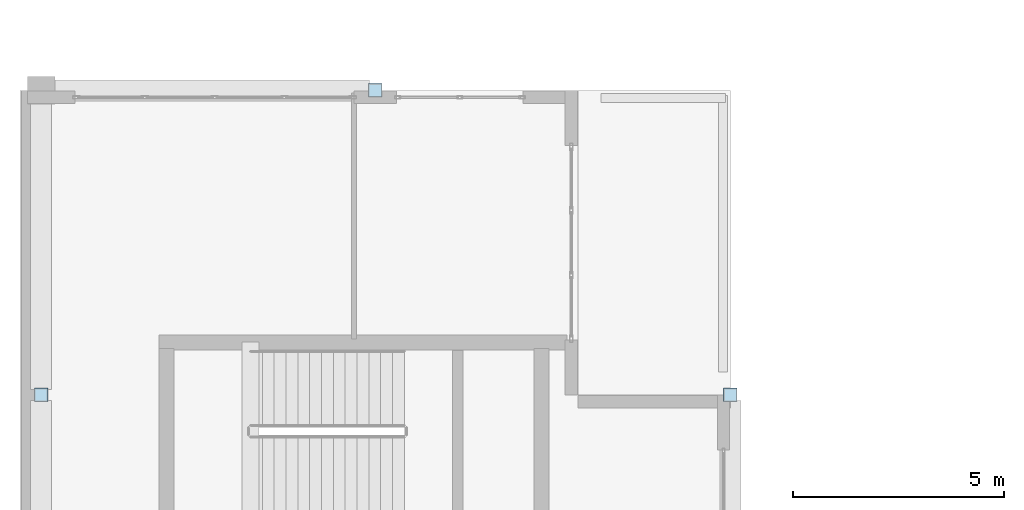
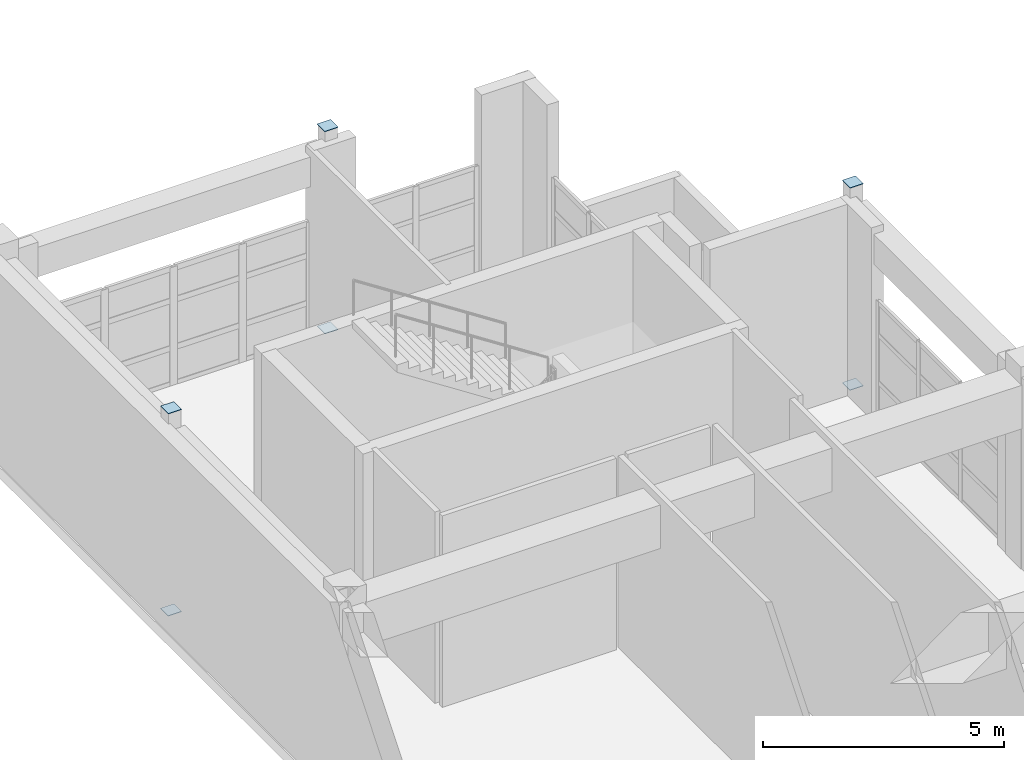
# One storey, part 62 of 78: 6 plates.
"""IFC4 building model written with IfcOpenShell, lengths in metres."""

import ifcopenshell
import ifcopenshell.guid

model = None  # the IFC model being written
_history = None  # IfcOwnerHistory: only IFC2X3 demands one
_inside = {}  # id of a spatial element -> (the spatial element, [elements in it])
_under = {}  # id of a project, library or spatial element -> (it, [spatial elements below it])
_declared = {}  # id of a project -> (the project, [libraries it declares])
_typed = {}  # id of a type object -> (the type object, [elements of that type])
_made_of = {}  # id of a material, layer set ... -> (it, [elements and type objects made of it])


def new_model(schema):
    """Start an empty IFC model of exactly this schema.

    Asked for "IFC4X3", IfcOpenShell would pick the latest addendum, in which some entities
    have other attributes; the version numbers below select the first issue.
    IFC2X3 requires an IfcOwnerHistory on every rooted entity: one is made here for all.
    """
    global model, _history
    if schema == "IFC4X3":
        model = ifcopenshell.file(schema_version=(4, 3, 0, 0))
    else:
        model = ifcopenshell.file(schema=schema)
    _inside.clear()
    _under.clear()
    _declared.clear()
    _typed.clear()
    _made_of.clear()
    _history = None
    if model.schema == "IFC2X3":
        org = make("IfcOrganization", Name="unknown")
        user = make(
            "IfcPersonAndOrganization",
            ThePerson=make("IfcPerson", FamilyName="unknown"),
            TheOrganization=org,
        )
        app = make(
            "IfcApplication",
            ApplicationDeveloper=org,
            Version="unknown",
            ApplicationFullName="unknown",
            ApplicationIdentifier="unknown",
        )
        _history = make(
            "IfcOwnerHistory",
            OwningUser=user,
            OwningApplication=app,
            ChangeAction="ADDED",
            CreationDate=0,
        )
    return model


def make(cls, **values):
    """One entity of the class cls with the attributes given. An attribute that is None is left unset."""
    return model.create_entity(
        cls, **{name: value for name, value in values.items() if value is not None}
    )


def rooted(cls, **values):
    """An entity with a GlobalId (a new one), such as an element, a storey or a relation."""
    return make(cls, GlobalId=ifcopenshell.guid.new(), OwnerHistory=_history, **values)


def si_unit(unit_type, name, prefix=None):
    """IfcSIUnit, for example si_unit("LENGTHUNIT", "METRE", prefix="MILLI")."""
    return make("IfcSIUnit", UnitType=unit_type, Prefix=prefix, Name=name)


def assignment(units):
    """IfcUnitAssignment: the units of a project."""
    return None if units is None else make("IfcUnitAssignment", Units=units)


def point(xyz):
    """IfcCartesianPoint."""
    return None if xyz is None else make("IfcCartesianPoint", Coordinates=xyz)


def direction(xyz):
    """IfcDirection."""
    return None if xyz is None else make("IfcDirection", DirectionRatios=xyz)


def frame(location, z_axis=None, x_axis=None):
    """IfcAxis2Placement3D, a coordinate frame: its origin and axes. An axis left out is left unset."""
    return make(
        "IfcAxis2Placement3D",
        Location=point(location),
        Axis=direction(z_axis),
        RefDirection=direction(x_axis),
    )


def frame_2d(location, x_axis=None):
    """IfcAxis2Placement2D, a coordinate frame in the plane: its origin and x axis."""
    return make(
        "IfcAxis2Placement2D", Location=point(location), RefDirection=direction(x_axis)
    )


def origin():
    """The frame at (0, 0, 0) with its axes left unset."""
    return frame((0.0, 0.0, 0.0))


def origin_2d():
    """The frame at (0, 0) in the plane with its x axis left unset."""
    return frame_2d((0.0, 0.0))


def place(relative_to, where):
    """IfcLocalPlacement: puts the frame where relative to a parent placement (None: the world)."""
    return make(
        "IfcLocalPlacement", PlacementRelTo=relative_to, RelativePlacement=where
    )


def context(
    kind, dimensions, precision=None, world=None, true_north=None, identifier=None
):
    """IfcGeometricRepresentationContext, for example the 3D "Model" context."""
    return make(
        "IfcGeometricRepresentationContext",
        ContextIdentifier=identifier,
        ContextType=kind,
        CoordinateSpaceDimension=dimensions,
        Precision=precision,
        WorldCoordinateSystem=world,
        TrueNorth=true_north,
    )


def subcontext(parent, identifier, kind, view, scale=None):
    """IfcGeometricRepresentationSubContext, for example "Body" below "Model"."""
    return make(
        "IfcGeometricRepresentationSubContext",
        ContextIdentifier=identifier,
        ContextType=kind,
        ParentContext=parent,
        TargetScale=scale,
        TargetView=view,
    )


def project(units=None, contexts=None):
    """IfcProject with its units and contexts."""
    return rooted(
        "IfcProject",
        Name="project",
        RepresentationContexts=contexts,
        UnitsInContext=assignment(units),
    )


def spatial(cls, under=None, at=None, **own):
    """A site, building, storey or space (cls), placed at a placement, below another one or the project."""
    s = rooted(cls, ObjectPlacement=at, **own)
    if under is not None:
        _under.setdefault(under.id(), (under, []))[1].append(s)
    return s


def profile(cls, at=None, kind="AREA", **sizes):
    """A parametric profile (cls). Its sizes go by their IFC names, for example OverallWidth=200.0."""
    return make(cls, ProfileType=kind, Position=at, **sizes)


def rectangle(**sizes):
    """IfcRectangleProfileDef."""
    return profile("IfcRectangleProfileDef", **sizes)


def extrude(swept, where, along, depth):
    """IfcExtrudedAreaSolid: the profile swept, set in the frame where, extruded along a direction by depth."""
    return make(
        "IfcExtrudedAreaSolid",
        SweptArea=swept,
        Position=where,
        ExtrudedDirection=direction(along),
        Depth=depth,
    )


def shape(context_of_items, identifier, shape_type, items):
    """IfcShapeRepresentation: the items that make up one representation, for example the "Body"."""
    return make(
        "IfcShapeRepresentation",
        ContextOfItems=context_of_items,
        RepresentationIdentifier=identifier,
        RepresentationType=shape_type,
        Items=items,
    )


def material(Name=None, Category=None):
    """IfcMaterial."""
    return make("IfcMaterial", Name=Name, Category=Category)


def layer(
    of_material, thickness, ventilated=None, Name=None, Category=None, Priority=None
):
    """IfcMaterialLayer: one layer of a wall or slab, of a material (None: an air gap)."""
    return make(
        "IfcMaterialLayer",
        Material=of_material,
        LayerThickness=thickness,
        IsVentilated=ventilated,
        Name=Name,
        Category=Category,
        Priority=Priority,
    )


def layer_set(layers, Name=None):
    """IfcMaterialLayerSet."""
    return make("IfcMaterialLayerSet", MaterialLayers=layers, LayerSetName=Name)


def made_of(thing, what):
    """Note that an element or type object is made of a material, layer set ...; save() writes the relation."""
    if what is not None:
        _made_of.setdefault(what.id(), (what, []))[1].append(thing)
    return thing


def type_object(cls, material=None, **own):
    """A type object (cls), such as IfcWallType, which elements share."""
    return made_of(rooted(cls, **own), material)


def element(
    cls,
    number,
    at=None,
    inside=None,
    cuts=None,
    type_object=None,
    material=None,
    context=None,
    identifier="Body",
    shape_type=None,
    held_by="IfcProductDefinitionShape",
    body=None,
    shapes=None,
    **own,
):
    """One element of the class cls, such as IfcWall. Its Tag is "e" and its number.

    at: its placement. inside: the storey or other place that contains it. cuts: it is an
    opening in that element (IfcRelVoidsElement). A single representation is given by context,
    identifier, shape_type and body (its items); several are given by shapes. held_by: the class
    of the entity that holds the representations. save() writes the other relations.
    """
    e = rooted(cls, Tag="e%d" % number, ObjectPlacement=at, **own)
    if body is not None:
        shapes = [shape(context, identifier, shape_type, body)]
    if shapes is not None:
        e.Representation = make(held_by, Representations=shapes)
    if inside is not None:
        _inside.setdefault(inside.id(), (inside, []))[1].append(e)
    if cuts is not None:
        rooted(
            "IfcRelVoidsElement", RelatingBuildingElement=cuts, RelatedOpeningElement=e
        )
    if type_object is not None:
        _typed.setdefault(type_object.id(), (type_object, []))[1].append(e)
    return made_of(e, material)


def aggregate(whole, parts):
    """IfcRelAggregates: a whole, such as a stair, and the parts it consists of."""
    return rooted("IfcRelAggregates", RelatingObject=whole, RelatedObjects=parts)


def save(model, path):
    """Write the relations noted so far, then the file.

    IfcRelAggregates (storeys below a building ...), IfcRelContainedInSpatialStructure (elements
    in a storey), IfcRelDefinesByType, IfcRelAssociatesMaterial and IfcRelDeclares: one each for
    every whole, place, type object, material and project.
    """
    for whole, parts in _under.values():
        aggregate(whole, parts)
    for where, things in _inside.values():
        rooted(
            "IfcRelContainedInSpatialStructure",
            RelatedElements=things,
            RelatingStructure=where,
        )
    for kind, things in _typed.values():
        rooted("IfcRelDefinesByType", RelatedObjects=things, RelatingType=kind)
    for what, things in _made_of.values():
        rooted("IfcRelAssociatesMaterial", RelatedObjects=things, RelatingMaterial=what)
    for by, libraries in _declared.values():
        rooted("IfcRelDeclares", RelatingContext=by, RelatedDefinitions=libraries)
    model.write(path)


model = new_model("IFC4")

# Units and contexts
model_context = context("Model", 3, precision=1e-05, world=origin(), true_north=direction((0.0, 1.0)))
body_context = subcontext(model_context, "Body", "Model", "MODEL_VIEW")
ifc_project = project(units=[si_unit("LENGTHUNIT", "METRE"), si_unit("AREAUNIT", "SQUARE_METRE"), si_unit("VOLUMEUNIT", "CUBIC_METRE"), si_unit("PLANEANGLEUNIT", "RADIAN"), si_unit("MASSUNIT", "GRAM", prefix="KILO")], contexts=[model_context])

# Site, building, storey
site_placement = place(None, origin())
site = spatial("IfcSite", under=ifc_project, at=site_placement, CompositionType="ELEMENT")
building_placement = place(site_placement, origin())
building = spatial("IfcBuilding", under=site, at=building_placement, Name="Quendrovan Civic Courthouse", CompositionType="ELEMENT")
storey_placement = place(building_placement, frame((0.0, 0.0, 20.39990234375)))
storey = spatial("IfcBuildingStorey", under=building, at=storey_placement, Name="L05", CompositionType="ELEMENT", Elevation=20.39990234375)

# Plates
ifc_material = material(Name="Steel ASTM A572 Grade 50", Category="steel")
ifc_layer = layer(ifc_material, 0.011962890625, Name="Steel ASTM A572 Grade 50")
ifc_layer_set = layer_set([ifc_layer], Name="Steel ASTM A572 Grade 50")
plate_type = type_object("IfcPlateType", Name="PLT-CAP-12", PredefinedType="SHEET", material=ifc_layer_set)
for number, where, z_axis, x_axis, name in (
    (1, (0.5, 87.60009765625, 5.10009765625), (0.0, 0.0, 1.0), (1.0, 0.0, 0.0), "L05 Hollow Column End Cap Plate COL-L05-1-M-TOP"),
    (2, (0.5, 87.60009765625, -0.01171875), (0.0, 0.0, 1.0), (1.0, 0.0, 0.0), "L05 Hollow Column End Cap Plate COL-L05-1-M-BOT"),
    (3, (8.39990234375, 94.800048828125, 5.10009765625), (0.0, 0.0, 1.0), (1.0, 0.0, 0.0), "L05 Hollow Column End Cap Plate COL-L05-2-N-TOP"),
    (4, (8.39990234375, 94.800048828125, -0.01171875), (0.0, 0.0, 1.0), (1.0, 0.0, 0.0), "L05 Hollow Column End Cap Plate COL-L05-2-N-BOT"),
    (5, (16.800048828125, 87.60009765625, 5.10009765625), (0.0, 0.0, 1.0), (1.0, 0.0, 0.0), "L05 Hollow Column End Cap Plate COL-L05-3-M-TOP"),
    (6, (16.800048828125, 87.60009765625, -0.01171875), (0.0, 0.0, 1.0), (1.0, 0.0, 0.0), "L05 Hollow Column End Cap Plate COL-L05-3-M-BOT"),
):
    element("IfcPlate", number, at=place(storey_placement, frame(where, z_axis=z_axis, x_axis=x_axis)), inside=storey, type_object=plate_type, Name=name, PredefinedType="SHEET", context=body_context, shape_type="SweptSolid", body=[
        extrude(rectangle(XDim=0.320068359375, YDim=0.320068359375, at=origin_2d()), origin(), (0.0, 0.0, 1.0), 0.011962890625),
    ])

save(model, "model.ifc")
